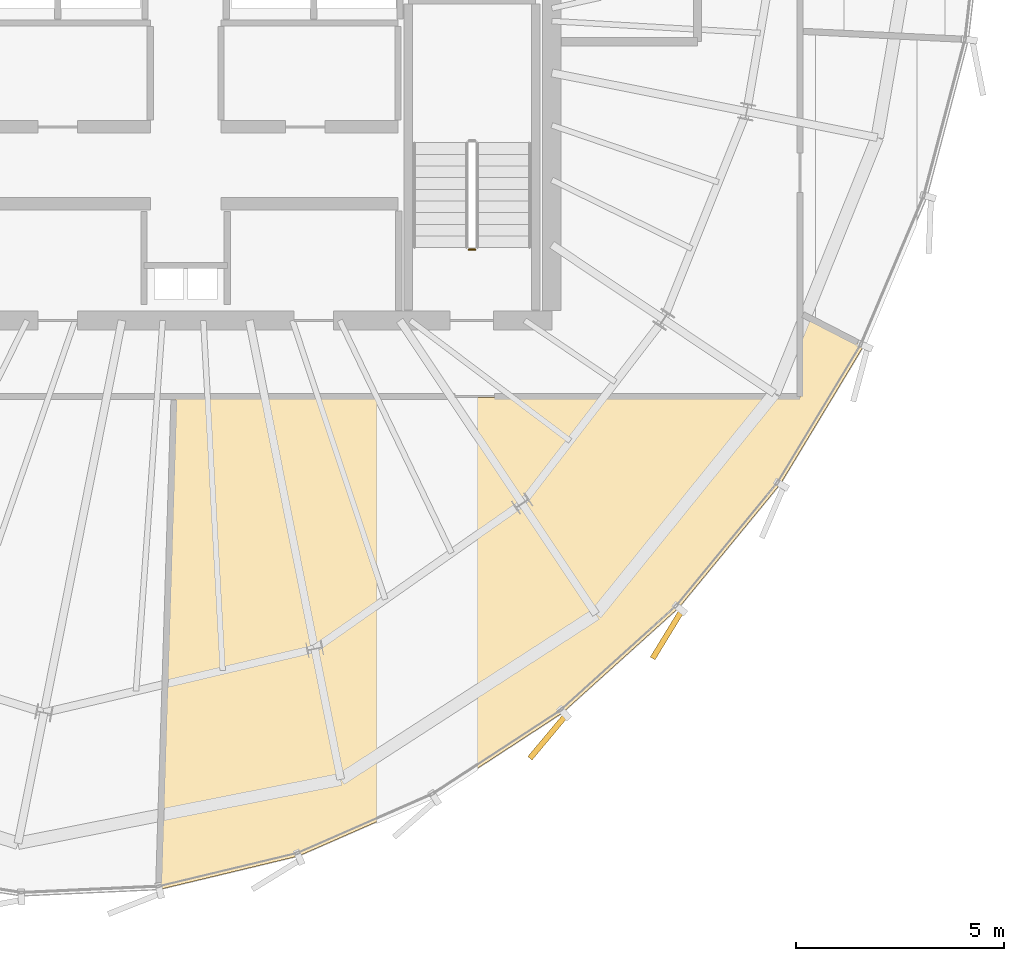
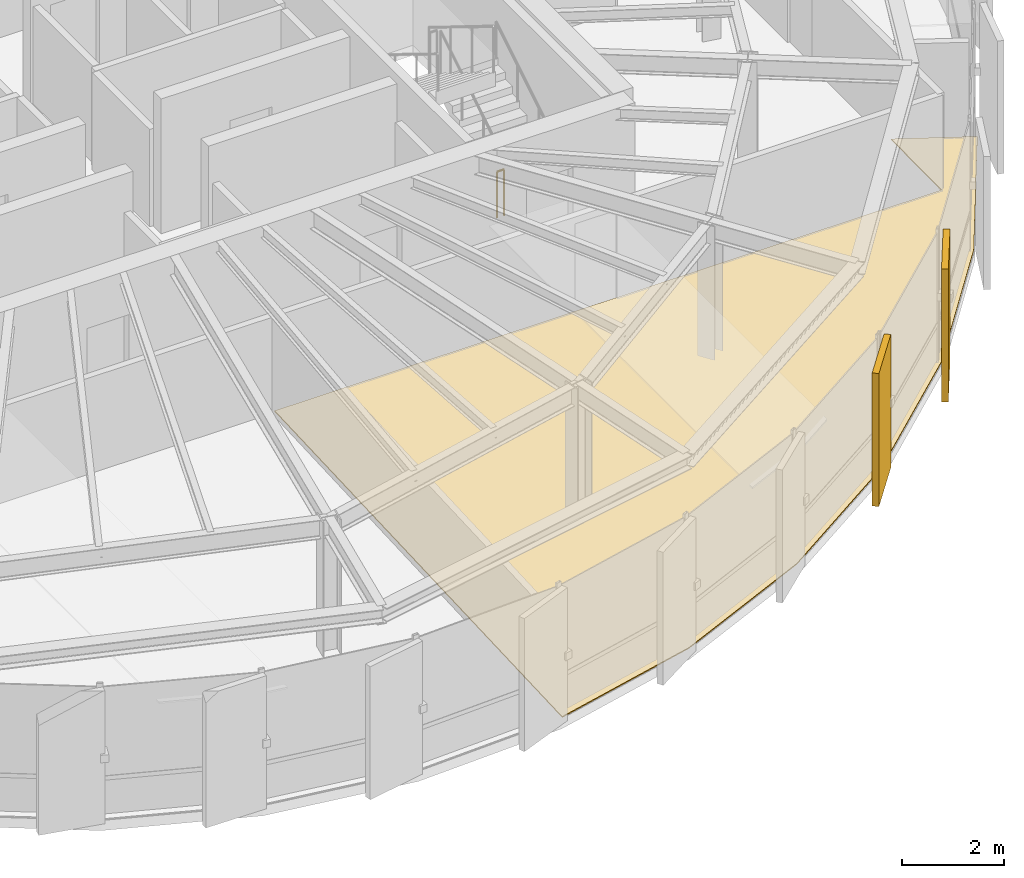
# One storey, part 29 of 31: 3 coverings, 1 railing.
"""IFC4 building model written with IfcOpenShell, lengths in metres."""

from ifc_helpers import new_model, si_unit, direction, frame, origin, origin_2d, place, context, subcontext, project, spatial, polyline, rectangle, circle, outline, extrude, source, transform, mapped, material, layer, layer_set, type_object, element, save


model = new_model("IFC4")

# Units and contexts
model_context = context("Model", 3, precision=1e-05, world=origin(), true_north=direction((0.0, 1.0)))
body_context = subcontext(model_context, "Body", "Model", "MODEL_VIEW")
ifc_project = project(units=[si_unit("LENGTHUNIT", "METRE"), si_unit("AREAUNIT", "SQUARE_METRE"), si_unit("VOLUMEUNIT", "CUBIC_METRE"), si_unit("PLANEANGLEUNIT", "RADIAN"), si_unit("MASSUNIT", "GRAM", prefix="KILO"), si_unit("THERMODYNAMICTEMPERATUREUNIT", "KELVIN")], contexts=[model_context])

# Site, building, storey
site_placement = place(None, origin())
site = spatial("IfcSite", under=ifc_project, at=site_placement, CompositionType="ELEMENT")
building_placement = place(site_placement, origin())
building = spatial("IfcBuilding", under=site, at=building_placement, Name="Kethvar Cultural Tower", CompositionType="ELEMENT")
storey_placement = place(building_placement, frame((0.0, 0.0, 287.050048828125)))
storey = spatial("IfcBuildingStorey", under=building, at=storey_placement, Name="L76", CompositionType="ELEMENT", Elevation=287.050048828125)

# Covering
ifc_material_1 = material(Name="Architectural Oak Timber", Category="wood")
ifc_layer_1 = layer(ifc_material_1, 0.02490234375, Name="Architectural Oak Timber", Category="wood")
ifc_layer_set_1 = layer_set([ifc_layer_1], Name="Architectural Oak Timber (25 mm)")
covering_type_1 = type_object("IfcCoveringType", Name="CV-OAK-FLOOR", PredefinedType="FLOORING", material=ifc_layer_set_1)
covering_placement = place(storey_placement, origin())
element("IfcCovering", 1, at=covering_placement, inside=storey, type_object=covering_type_1, Name="L76 Room 02 Floor Finish", PredefinedType="FLOORING", context=body_context, shape_type="SweptSolid", body=[
    extrude(outline(polyline([(63.0888671875, 19.477783203125), (61.091796875, 16.16748046875), (58.64990234375, 13.193603515625), (55.847900390625, 10.66357421875), (52.77099609375, 8.654541015625), (49.512939453125, 7.227294921875), (46.1962890625, 6.430908203125), (46.541259765625, 18.2490234375), (61.56591796875, 18.2490234375), (61.583984375, 20.24462890625), (63.0888671875, 19.477783203125)])), origin(), (0.0, 0.0, 1.0), 0.02490234375),
])

# Railing
ifc_material_2 = material(Name="Steel S355J2", Category="steel")
railing_type = type_object("IfcRailingType", Name="RL-STAIR-GUARD", PredefinedType="BALUSTRADE", material=ifc_material_2)
railing_placement = place(storey_placement, frame((53.760009765625, 21.800048828125, 0.0)))
element("IfcRailing", 2, at=railing_placement, inside=storey, type_object=railing_type, Name="L76 ST-02 stair guard 4", PredefinedType="BALUSTRADE", context=body_context, shape_type="SweptSolid", body=[
    extrude(circle(Radius=0.02392578125, at=origin_2d()), frame((0.0, 0.0, 1.09619140625), z_axis=(-1.0, 0.0, 0.0), x_axis=(0.0, -1.0, 0.0)), (0.0, 0.0, 1.0), 0.159912109375),
    extrude(circle(Radius=0.02099609375, at=origin_2d()), origin(), (0.0, 0.0, 1.0), 1.072021484375),
    extrude(circle(Radius=0.02099609375, at=origin_2d()), frame((-0.159912109375, 0.0, 0.0)), (0.0, 0.0, 1.0), 1.072021484375),
])

# Coverings
ifc_material_3 = material(Name="Extruded Architectural Terracotta", Category="masonry")
ifc_layer_2 = layer(ifc_material_3, 0.135009765625, Name="Extruded Architectural Terracotta", Category="masonry")
ifc_layer_set_2 = layer_set([ifc_layer_2], Name="Extruded Architectural Terracotta (135 mm)")
covering_type_2 = type_object("IfcCoveringType", Name="Terracotta Facade Fin FIN-03", PredefinedType="CLADDING", material=ifc_layer_set_2)
shared_shape = source(origin(), body_context, "Body", "SweptSolid", [
    extrude(rectangle(XDim=1.35009765625, YDim=0.135009765625, at=origin_2d()), origin(), (0.0, 0.0, 1.0), 3.169921875),
])
for number, where, z_axis, x_axis, name in (
    (3, (55.507080078125, 10.094482421875, 0.02001953125), (0.0, 0.0, 1.0), (-0.64171738364, -0.76694119692, 0.0), "L76 Vertical Terracotta Fin 5.1"),
    (4, (58.37451171875, 12.552734375, 0.02001953125), (0.0, 0.0, 1.0), (-0.520860651188, -0.85364171761, 0.0), "L76 Vertical Terracotta Fin 5.2"),
):
    element("IfcCovering", number, at=place(storey_placement, frame(where, z_axis=z_axis, x_axis=x_axis)), inside=storey, type_object=covering_type_2, Name=name, PredefinedType="CLADDING", context=body_context, shape_type="MappedRepresentation", body=[
        mapped(shared_shape, transform((0.0, 0.0, 0.0), scale=1.0)),
    ])

save(model, "model.ifc")
